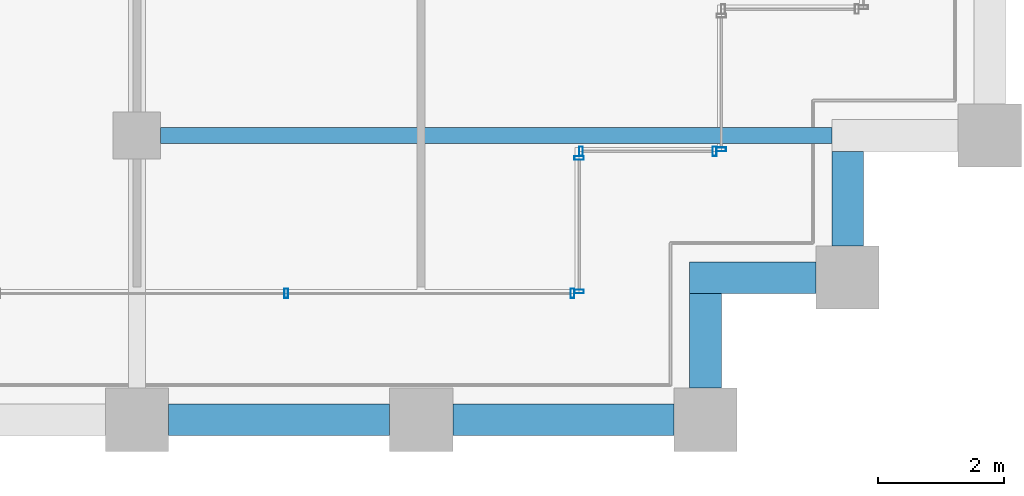
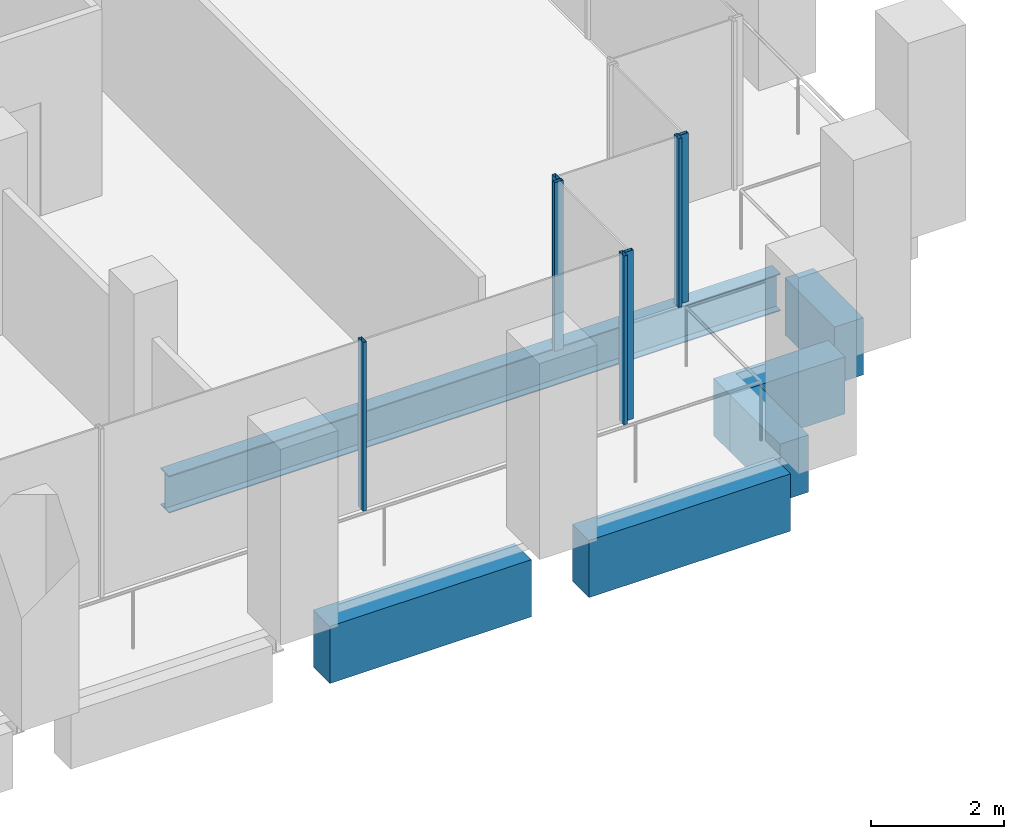
# One storey, part 12 of 46: 7 members, 6 beams, 4 elements without a shape of their own.
"""IFC4 building model written with IfcOpenShell, lengths in metres."""

from ifc_helpers import new_model, si_unit, direction, frame, origin, origin_2d, place, context, subcontext, project, spatial, rectangle, hollow_rectangle, i_section, extrude, material, material_profile, profile_set, type_object, element, aggregate, save


model = new_model("IFC4")

# Units and contexts
model_context = context("Model", 3, precision=1e-05, world=origin(), true_north=direction((0.0, 1.0)))
body_context = subcontext(model_context, "Body", "Model", "MODEL_VIEW")
ifc_project = project(units=[si_unit("LENGTHUNIT", "METRE"), si_unit("AREAUNIT", "SQUARE_METRE"), si_unit("VOLUMEUNIT", "CUBIC_METRE"), si_unit("PLANEANGLEUNIT", "RADIAN"), si_unit("MASSUNIT", "GRAM", prefix="KILO")], contexts=[model_context])

# Site, building, storey
site_placement = place(None, origin())
site = spatial("IfcSite", under=ifc_project, at=site_placement, CompositionType="ELEMENT")
building_placement = place(site_placement, origin())
building = spatial("IfcBuilding", under=site, at=building_placement, Name="Altepetl Exchange Towers", CompositionType="ELEMENT")
storey_placement = place(building_placement, frame((0.0, 0.0, 124.39990234375)))
storey = spatial("IfcBuildingStorey", under=building, at=storey_placement, Name="L30", CompositionType="ELEMENT", Elevation=124.39990234375)

# Beam
ifc_material_1 = material(Name="Steel S355", Category="steel")
ifc_material_profile_1 = material_profile(ifc_material_1, i_section(OverallWidth=0.25390625, OverallDepth=0.68408203125, WebThickness=0.012451171875, FlangeThickness=0.018798828125, at=origin_2d()), Name="W27X94")
ifc_profile_set_1 = profile_set([ifc_material_profile_1], Name="Steel S355")
beam_type_1 = type_object("IfcBeamType", Name="Floor beam W27X94", PredefinedType="BEAM", material=ifc_profile_set_1)
beam_1_placement = place(storey_placement, frame((58.875, 31.5, -0.491943359375), z_axis=(1.0, 0.0, 0.0), x_axis=(0.0, 1.0, 0.0)))
element("IfcBeam", 1, at=beam_1_placement, inside=storey, type_object=beam_type_1, Name="bm:A:L30:006", PredefinedType="BEAM", context=body_context, shape_type="SweptSolid", body=[
    extrude(i_section(OverallWidth=0.25390625, OverallDepth=0.68408203125, WebThickness=0.012451171875, FlangeThickness=0.018798828125, at=origin_2d()), origin(), (0.0, 0.0, 1.0), 10.625),
])

# Curtain wall, members
ifc_material_2 = material(Name="Aluminium 6063-T6 glazing", Category="aluminium")
curtain_wall_type = type_object("IfcCurtainWallType", Name="Loggia glazing system", PredefinedType="NOTDEFINED", material=ifc_material_2)
curtain_wall_1_placement = place(storey_placement, origin())
curtain_wall_1 = element("IfcCurtainWall", 2, at=curtain_wall_1_placement, inside=storey, type_object=curtain_wall_type, Name="CW1 run", PredefinedType="NOTDEFINED")
ifc_material_3 = material(Name="Aluminium 6063-T6", Category="aluminium")
ifc_material_profile_2 = material_profile(ifc_material_3, hollow_rectangle(XDim=0.06005859375, YDim=0.14990234375, WallThickness=0.0029296875, at=origin_2d()), Name="Mullion 60x150 aluminium")
ifc_profile_set_2 = profile_set([ifc_material_profile_2], Name="Aluminium 6063-T6")
member_type = type_object("IfcMemberType", Name="Mullion 60x150 aluminium", PredefinedType="MULLION", material=ifc_profile_set_2)
member_1_placement = place(storey_placement, frame((60.8642578125, 29.0, 0.0)))
member_1 = element("IfcMember", 3, at=member_1_placement, type_object=member_type, Name="MU1 mullion", PredefinedType="MULLION", context=body_context, shape_type="SweptSolid", body=[
    extrude(hollow_rectangle(XDim=0.06005859375, YDim=0.14990234375, WallThickness=0.0029296875, at=origin_2d()), origin(), (0.0, 0.0, 1.0), 3.10009765625),
])
member_2_placement = place(storey_placement, frame((65.39501953125, 29.0, 0.0)))
member_2 = element("IfcMember", 4, at=member_2_placement, type_object=member_type, Name="MU1 mullion", PredefinedType="MULLION", context=body_context, shape_type="SweptSolid", body=[
    extrude(hollow_rectangle(XDim=0.06005859375, YDim=0.14990234375, WallThickness=0.0029296875, at=origin_2d()), origin(), (0.0, 0.0, 1.0), 3.10009765625),
])
aggregate(curtain_wall_1, [member_1, member_2])

curtain_wall_2_placement = place(storey_placement, origin())
curtain_wall_2 = element("IfcCurtainWall", 5, at=curtain_wall_2_placement, inside=storey, type_object=curtain_wall_type, Name="CW1 run", PredefinedType="NOTDEFINED")
member_3_placement = place(storey_placement, frame((65.5, 29.030029296875, 0.0), z_axis=(0.0, 0.0, 1.0), x_axis=(0.0, 1.0, 0.0)))
member_3 = element("IfcMember", 6, at=member_3_placement, type_object=member_type, Name="MU1 mullion", PredefinedType="MULLION", context=body_context, shape_type="SweptSolid", body=[
    extrude(hollow_rectangle(XDim=0.06005859375, YDim=0.14990234375, WallThickness=0.0029296875, at=origin_2d()), origin(), (0.0, 0.0, 1.0), 3.10009765625),
])
member_4_placement = place(storey_placement, frame((65.5, 31.14501953125, 0.0), z_axis=(0.0, 0.0, 1.0), x_axis=(0.0, 1.0, 0.0)))
member_4 = element("IfcMember", 7, at=member_4_placement, type_object=member_type, Name="MU1 mullion", PredefinedType="MULLION", context=body_context, shape_type="SweptSolid", body=[
    extrude(hollow_rectangle(XDim=0.06005859375, YDim=0.14990234375, WallThickness=0.0029296875, at=origin_2d()), origin(), (0.0, 0.0, 1.0), 3.10009765625),
])
aggregate(curtain_wall_2, [member_3, member_4])

curtain_wall_3_placement = place(storey_placement, origin())
curtain_wall_3 = element("IfcCurtainWall", 8, at=curtain_wall_3_placement, inside=storey, type_object=curtain_wall_type, Name="CW1 run", PredefinedType="NOTDEFINED")
member_5_placement = place(storey_placement, frame((65.530029296875, 31.25, 0.0)))
member_5 = element("IfcMember", 9, at=member_5_placement, type_object=member_type, Name="MU1 mullion", PredefinedType="MULLION", context=body_context, shape_type="SweptSolid", body=[
    extrude(hollow_rectangle(XDim=0.06005859375, YDim=0.14990234375, WallThickness=0.0029296875, at=origin_2d()), origin(), (0.0, 0.0, 1.0), 3.10009765625),
])
member_6_placement = place(storey_placement, frame((67.64501953125, 31.25, 0.0)))
member_6 = element("IfcMember", 10, at=member_6_placement, type_object=member_type, Name="MU1 mullion", PredefinedType="MULLION", context=body_context, shape_type="SweptSolid", body=[
    extrude(hollow_rectangle(XDim=0.06005859375, YDim=0.14990234375, WallThickness=0.0029296875, at=origin_2d()), origin(), (0.0, 0.0, 1.0), 3.10009765625),
])
aggregate(curtain_wall_3, [member_5, member_6])

# Curtain wall, member
curtain_wall_4_placement = place(storey_placement, origin())
curtain_wall_4 = element("IfcCurtainWall", 11, at=curtain_wall_4_placement, inside=storey, type_object=curtain_wall_type, Name="CW1 run", PredefinedType="NOTDEFINED")
member_7_placement = place(storey_placement, frame((67.75, 31.280029296875, 0.0), z_axis=(0.0, 0.0, 1.0), x_axis=(0.0, 1.0, 0.0)))
member_7 = element("IfcMember", 12, at=member_7_placement, type_object=member_type, Name="MU1 mullion", PredefinedType="MULLION", context=body_context, shape_type="SweptSolid", body=[
    extrude(hollow_rectangle(XDim=0.06005859375, YDim=0.14990234375, WallThickness=0.0029296875, at=origin_2d()), origin(), (0.0, 0.0, 1.0), 3.10009765625),
])
aggregate(curtain_wall_4, [member_7])

# Beams
ifc_material_4 = material(Name="Concrete C50/60 precast with cantera amarilla facing", Category="concrete")
ifc_material_profile_3 = material_profile(ifc_material_4, rectangle(XDim=0.5, YDim=1.050048828125, at=origin_2d()), Name="500 x 1050")
ifc_profile_set_3 = profile_set([ifc_material_profile_3], Name="Concrete C50/60 precast with cantera amarilla facing")
beam_type_2 = type_object("IfcBeamType", Name="Spandrel beam 500x1050 cantera amarilla", PredefinedType="SPANDREL", material=ifc_profile_set_3)
for number, where, z_axis, x_axis, name in (
    (13, (59.0, 27.0, -0.6748046875), (1.0, 0.0, 0.0), (0.0, 1.0, 0.0), "sp:A:L30:006"),
    (14, (63.5, 27.0, -0.6748046875), (1.0, 0.0, 0.0), (0.0, 1.0, 0.0), "sp:A:L30:007"),
):
    element("IfcBeam", number, at=place(storey_placement, frame(where, z_axis=z_axis, x_axis=x_axis)), inside=storey, type_object=beam_type_2, Name=name, PredefinedType="SPANDREL", context=body_context, shape_type="SweptSolid", body=[
        extrude(rectangle(XDim=0.5, YDim=1.050048828125, at=origin_2d()), origin(), (0.0, 0.0, 1.0), 3.5),
    ])
beam_2_placement = place(storey_placement, frame((67.5, 27.5, -0.6748046875), z_axis=(0.0, 1.0, 0.0), x_axis=(-1.0, 0.0, 0.0)))
element("IfcBeam", 15, at=beam_2_placement, inside=storey, type_object=beam_type_2, Name="sp:A:L30:008", PredefinedType="SPANDREL", context=body_context, shape_type="SweptSolid", body=[
    extrude(rectangle(XDim=0.5, YDim=1.050048828125, at=origin_2d()), origin(), (0.0, 0.0, 1.0), 1.5),
])
beam_3_placement = place(storey_placement, frame((67.25, 29.25, -0.6748046875), z_axis=(1.0, 0.0, 0.0), x_axis=(0.0, 1.0, 0.0)))
element("IfcBeam", 16, at=beam_3_placement, inside=storey, type_object=beam_type_2, Name="sp:A:L30:009", PredefinedType="SPANDREL", context=body_context, shape_type="SweptSolid", body=[
    extrude(rectangle(XDim=0.5, YDim=1.050048828125, at=origin_2d()), origin(), (0.0, 0.0, 1.0), 2.0),
])
beam_4_placement = place(storey_placement, frame((69.75, 29.75, -0.6748046875), z_axis=(0.0, 1.0, 0.0), x_axis=(-1.0, 0.0, 0.0)))
element("IfcBeam", 17, at=beam_4_placement, inside=storey, type_object=beam_type_2, Name="sp:A:L30:010", PredefinedType="SPANDREL", context=body_context, shape_type="SweptSolid", body=[
    extrude(rectangle(XDim=0.5, YDim=1.050048828125, at=origin_2d()), origin(), (0.0, 0.0, 1.0), 1.5),
])

save(model, "model.ifc")
